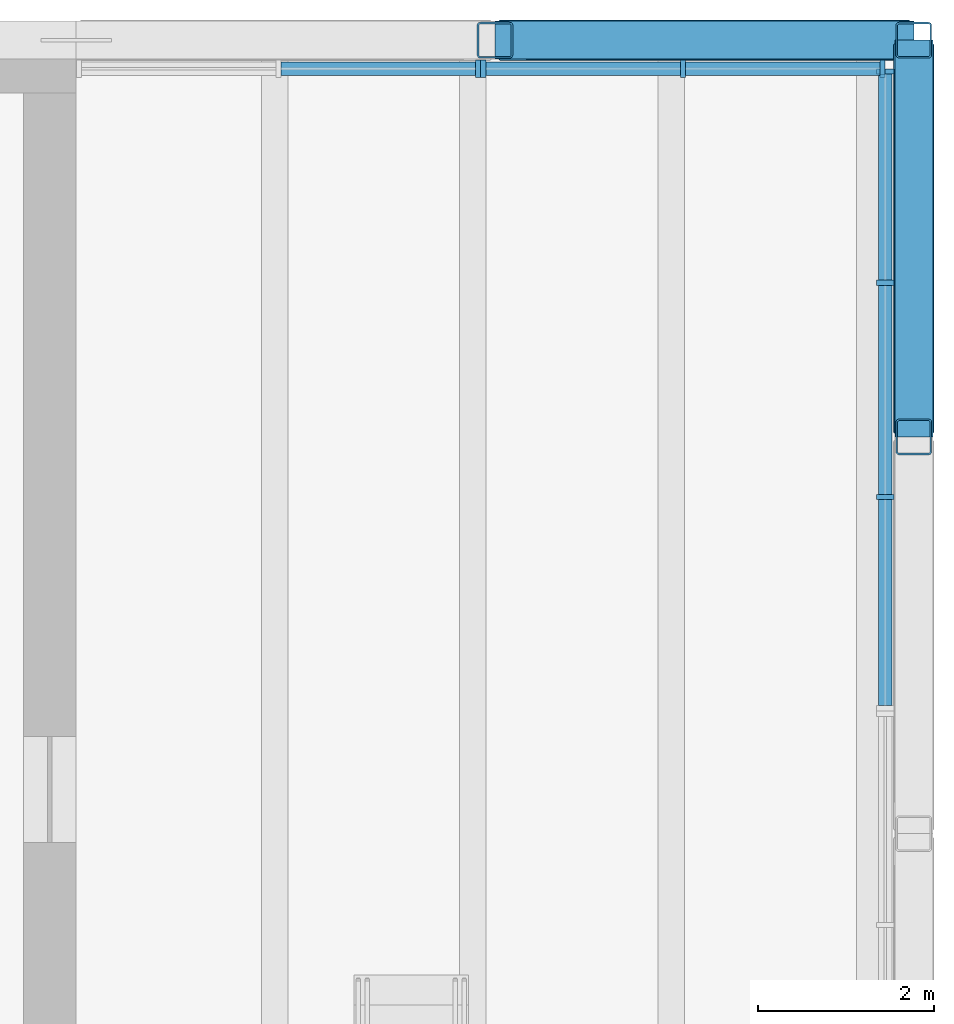
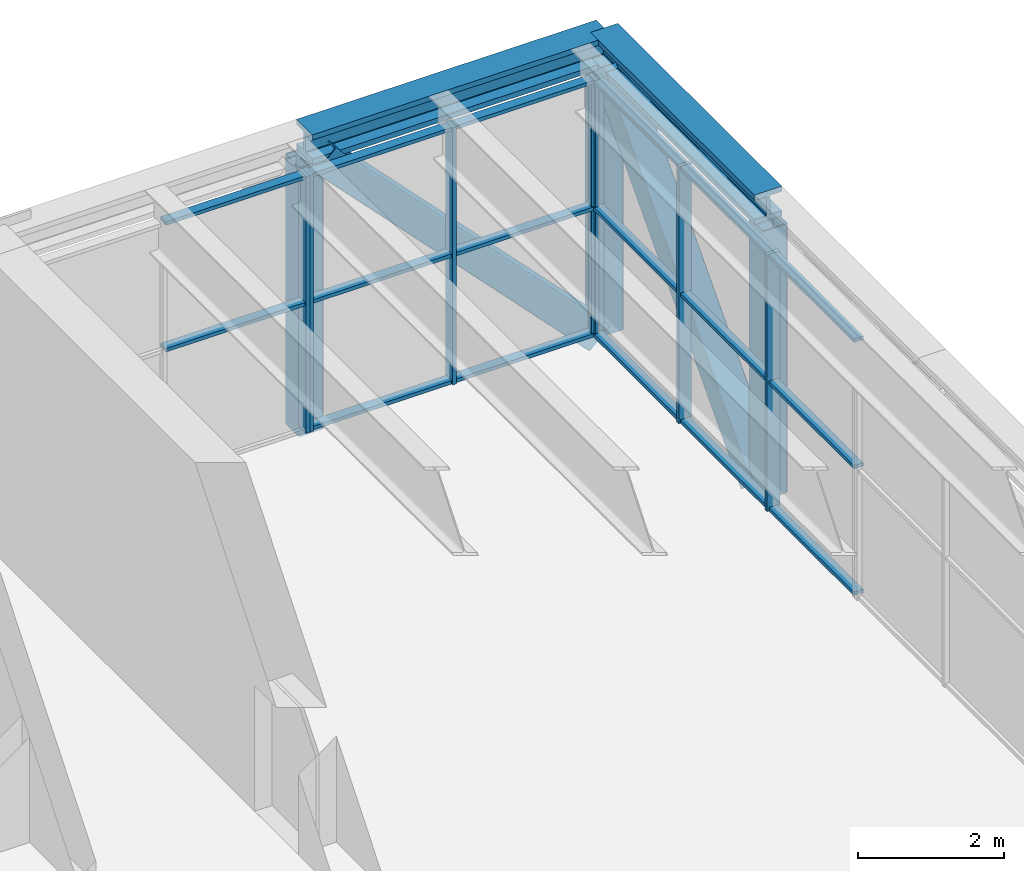
# One storey, part 4 of 13: 31 members, 3 elements without a shape of their own.
"""IFC4 building model written with IfcOpenShell, lengths in metres."""

import ifcopenshell
import ifcopenshell.guid

model = None  # the IFC model being written
_history = None  # IfcOwnerHistory: only IFC2X3 demands one
_inside = {}  # id of a spatial element -> (the spatial element, [elements in it])
_under = {}  # id of a project, library or spatial element -> (it, [spatial elements below it])
_declared = {}  # id of a project -> (the project, [libraries it declares])
_typed = {}  # id of a type object -> (the type object, [elements of that type])
_made_of = {}  # id of a material, layer set ... -> (it, [elements and type objects made of it])


def new_model(schema):
    """Start an empty IFC model of exactly this schema.

    Asked for "IFC4X3", IfcOpenShell would pick the latest addendum, in which some entities
    have other attributes; the version numbers below select the first issue.
    IFC2X3 requires an IfcOwnerHistory on every rooted entity: one is made here for all.
    """
    global model, _history
    if schema == "IFC4X3":
        model = ifcopenshell.file(schema_version=(4, 3, 0, 0))
    else:
        model = ifcopenshell.file(schema=schema)
    _inside.clear()
    _under.clear()
    _declared.clear()
    _typed.clear()
    _made_of.clear()
    _history = None
    if model.schema == "IFC2X3":
        org = make("IfcOrganization", Name="unknown")
        user = make(
            "IfcPersonAndOrganization",
            ThePerson=make("IfcPerson", FamilyName="unknown"),
            TheOrganization=org,
        )
        app = make(
            "IfcApplication",
            ApplicationDeveloper=org,
            Version="unknown",
            ApplicationFullName="unknown",
            ApplicationIdentifier="unknown",
        )
        _history = make(
            "IfcOwnerHistory",
            OwningUser=user,
            OwningApplication=app,
            ChangeAction="ADDED",
            CreationDate=0,
        )
    return model


def make(cls, **values):
    """One entity of the class cls with the attributes given. An attribute that is None is left unset."""
    return model.create_entity(
        cls, **{name: value for name, value in values.items() if value is not None}
    )


def rooted(cls, **values):
    """An entity with a GlobalId (a new one), such as an element, a storey or a relation."""
    return make(cls, GlobalId=ifcopenshell.guid.new(), OwnerHistory=_history, **values)


def si_unit(unit_type, name, prefix=None):
    """IfcSIUnit, for example si_unit("LENGTHUNIT", "METRE", prefix="MILLI")."""
    return make("IfcSIUnit", UnitType=unit_type, Prefix=prefix, Name=name)


def assignment(units):
    """IfcUnitAssignment: the units of a project."""
    return None if units is None else make("IfcUnitAssignment", Units=units)


def point(xyz):
    """IfcCartesianPoint."""
    return None if xyz is None else make("IfcCartesianPoint", Coordinates=xyz)


def direction(xyz):
    """IfcDirection."""
    return None if xyz is None else make("IfcDirection", DirectionRatios=xyz)


def frame(location, z_axis=None, x_axis=None):
    """IfcAxis2Placement3D, a coordinate frame: its origin and axes. An axis left out is left unset."""
    return make(
        "IfcAxis2Placement3D",
        Location=point(location),
        Axis=direction(z_axis),
        RefDirection=direction(x_axis),
    )


def frame_2d(location, x_axis=None):
    """IfcAxis2Placement2D, a coordinate frame in the plane: its origin and x axis."""
    return make(
        "IfcAxis2Placement2D", Location=point(location), RefDirection=direction(x_axis)
    )


def origin():
    """The frame at (0, 0, 0) with its axes left unset."""
    return frame((0.0, 0.0, 0.0))


def origin_2d():
    """The frame at (0, 0) in the plane with its x axis left unset."""
    return frame_2d((0.0, 0.0))


def place(relative_to, where):
    """IfcLocalPlacement: puts the frame where relative to a parent placement (None: the world)."""
    return make(
        "IfcLocalPlacement", PlacementRelTo=relative_to, RelativePlacement=where
    )


def context(
    kind, dimensions, precision=None, world=None, true_north=None, identifier=None
):
    """IfcGeometricRepresentationContext, for example the 3D "Model" context."""
    return make(
        "IfcGeometricRepresentationContext",
        ContextIdentifier=identifier,
        ContextType=kind,
        CoordinateSpaceDimension=dimensions,
        Precision=precision,
        WorldCoordinateSystem=world,
        TrueNorth=true_north,
    )


def subcontext(parent, identifier, kind, view, scale=None):
    """IfcGeometricRepresentationSubContext, for example "Body" below "Model"."""
    return make(
        "IfcGeometricRepresentationSubContext",
        ContextIdentifier=identifier,
        ContextType=kind,
        ParentContext=parent,
        TargetScale=scale,
        TargetView=view,
    )


def project(units=None, contexts=None):
    """IfcProject with its units and contexts."""
    return rooted(
        "IfcProject",
        Name="project",
        RepresentationContexts=contexts,
        UnitsInContext=assignment(units),
    )


def spatial(cls, under=None, at=None, **own):
    """A site, building, storey or space (cls), placed at a placement, below another one or the project."""
    s = rooted(cls, ObjectPlacement=at, **own)
    if under is not None:
        _under.setdefault(under.id(), (under, []))[1].append(s)
    return s


def profile(cls, at=None, kind="AREA", **sizes):
    """A parametric profile (cls). Its sizes go by their IFC names, for example OverallWidth=200.0."""
    return make(cls, ProfileType=kind, Position=at, **sizes)


def rectangle(**sizes):
    """IfcRectangleProfileDef."""
    return profile("IfcRectangleProfileDef", **sizes)


def hollow_rectangle(**sizes):
    """IfcRectangleHollowProfileDef."""
    return profile("IfcRectangleHollowProfileDef", **sizes)


def i_section(**sizes):
    """IfcIShapeProfileDef."""
    return profile("IfcIShapeProfileDef", **sizes)


def extrude(swept, where, along, depth):
    """IfcExtrudedAreaSolid: the profile swept, set in the frame where, extruded along a direction by depth."""
    return make(
        "IfcExtrudedAreaSolid",
        SweptArea=swept,
        Position=where,
        ExtrudedDirection=direction(along),
        Depth=depth,
    )


def shape(context_of_items, identifier, shape_type, items):
    """IfcShapeRepresentation: the items that make up one representation, for example the "Body"."""
    return make(
        "IfcShapeRepresentation",
        ContextOfItems=context_of_items,
        RepresentationIdentifier=identifier,
        RepresentationType=shape_type,
        Items=items,
    )


def material(Name=None, Category=None):
    """IfcMaterial."""
    return make("IfcMaterial", Name=Name, Category=Category)


def material_profile(
    of_material, cross_section, Name=None, Category=None, Priority=None
):
    """IfcMaterialProfile: a cross section and its material."""
    return make(
        "IfcMaterialProfile",
        Name=Name,
        Material=of_material,
        Profile=cross_section,
        Priority=Priority,
        Category=Category,
    )


def profile_set(profiles, Name=None, composite=None):
    """IfcMaterialProfileSet."""
    return make(
        "IfcMaterialProfileSet",
        Name=Name,
        MaterialProfiles=profiles,
        CompositeProfile=composite,
    )


def made_of(thing, what):
    """Note that an element or type object is made of a material, layer set ...; save() writes the relation."""
    if what is not None:
        _made_of.setdefault(what.id(), (what, []))[1].append(thing)
    return thing


def type_object(cls, material=None, **own):
    """A type object (cls), such as IfcWallType, which elements share."""
    return made_of(rooted(cls, **own), material)


def element(
    cls,
    number,
    at=None,
    inside=None,
    cuts=None,
    type_object=None,
    material=None,
    context=None,
    identifier="Body",
    shape_type=None,
    held_by="IfcProductDefinitionShape",
    body=None,
    shapes=None,
    **own,
):
    """One element of the class cls, such as IfcWall. Its Tag is "e" and its number.

    at: its placement. inside: the storey or other place that contains it. cuts: it is an
    opening in that element (IfcRelVoidsElement). A single representation is given by context,
    identifier, shape_type and body (its items); several are given by shapes. held_by: the class
    of the entity that holds the representations. save() writes the other relations.
    """
    e = rooted(cls, Tag="e%d" % number, ObjectPlacement=at, **own)
    if body is not None:
        shapes = [shape(context, identifier, shape_type, body)]
    if shapes is not None:
        e.Representation = make(held_by, Representations=shapes)
    if inside is not None:
        _inside.setdefault(inside.id(), (inside, []))[1].append(e)
    if cuts is not None:
        rooted(
            "IfcRelVoidsElement", RelatingBuildingElement=cuts, RelatedOpeningElement=e
        )
    if type_object is not None:
        _typed.setdefault(type_object.id(), (type_object, []))[1].append(e)
    return made_of(e, material)


def aggregate(whole, parts):
    """IfcRelAggregates: a whole, such as a stair, and the parts it consists of."""
    return rooted("IfcRelAggregates", RelatingObject=whole, RelatedObjects=parts)


def save(model, path):
    """Write the relations noted so far, then the file.

    IfcRelAggregates (storeys below a building ...), IfcRelContainedInSpatialStructure (elements
    in a storey), IfcRelDefinesByType, IfcRelAssociatesMaterial and IfcRelDeclares: one each for
    every whole, place, type object, material and project.
    """
    for whole, parts in _under.values():
        aggregate(whole, parts)
    for where, things in _inside.values():
        rooted(
            "IfcRelContainedInSpatialStructure",
            RelatedElements=things,
            RelatingStructure=where,
        )
    for kind, things in _typed.values():
        rooted("IfcRelDefinesByType", RelatedObjects=things, RelatingType=kind)
    for what, things in _made_of.values():
        rooted("IfcRelAssociatesMaterial", RelatedObjects=things, RelatingMaterial=what)
    for by, libraries in _declared.values():
        rooted("IfcRelDeclares", RelatingContext=by, RelatedDefinitions=libraries)
    model.write(path)


model = new_model("IFC4")

# Units and contexts
model_context = context("Model", 3, precision=1e-05, world=origin(), true_north=direction((0.0, 1.0)))
body_context = subcontext(model_context, "Body", "Model", "MODEL_VIEW")
ifc_project = project(units=[si_unit("LENGTHUNIT", "METRE"), si_unit("AREAUNIT", "SQUARE_METRE"), si_unit("VOLUMEUNIT", "CUBIC_METRE"), si_unit("PLANEANGLEUNIT", "RADIAN"), si_unit("MASSUNIT", "GRAM", prefix="KILO")], contexts=[model_context])

# Site, building, storey
site_placement = place(None, origin())
site = spatial("IfcSite", under=ifc_project, at=site_placement, CompositionType="ELEMENT")
building_placement = place(site_placement, origin())
building = spatial("IfcBuilding", under=site, at=building_placement, Name="Sennacour Bend Tower", CompositionType="ELEMENT")
storey_placement = place(building_placement, frame((0.0, 0.0, 345.5)))
storey = spatial("IfcBuildingStorey", under=building, at=storey_placement, Name="L79", CompositionType="ELEMENT", Elevation=345.5)

# Curtain wall, members
ifc_material_1 = material(Name="Bronze anodised aluminium curtain wall with clear glass", Category="aluminium")
curtain_wall_type = type_object("IfcCurtainWallType", Name="CURTAIN WALL LOUNGE", PredefinedType="NOTDEFINED", material=ifc_material_1)
curtain_wall_1_placement = place(storey_placement, origin())
curtain_wall_1 = element("IfcCurtainWall", 1, at=curtain_wall_1_placement, inside=storey, type_object=curtain_wall_type, Name="Sky lounge glass wall L79", PredefinedType="NOTDEFINED")
ifc_material_2 = material(Name="Aluminium 6063-T6", Category="aluminium")
ifc_material_profile_1 = material_profile(ifc_material_2, rectangle(XDim=0.199951171875, YDim=0.06005859375, at=origin_2d()), Name="Aluminium 6063-T6", Category="aluminium")
ifc_profile_set_1 = profile_set([ifc_material_profile_1], Name="Aluminium 6063-T6")
member_type_1 = type_object("IfcMemberType", Name="CW-MULLION-200X60", PredefinedType="MULLION", material=ifc_profile_set_1)
member_1_placement = place(storey_placement, frame((76.675048828125, 17.319580078125, 0.0), z_axis=(0.0, 0.0, 1.0), x_axis=(-1.0, 0.0, 0.0)))
member_1 = element("IfcMember", 2, at=member_1_placement, type_object=member_type_1, Name="GW4 curtain wall mullion 2", PredefinedType="MULLION", context=body_context, shape_type="SweptSolid", body=[
    extrude(rectangle(XDim=0.199951171875, YDim=0.06005859375, at=origin_2d()), origin(), (0.0, 0.0, 1.0), 4.302001953125),
])
member_2_placement = place(storey_placement, frame((76.675048828125, 19.747314453125, 0.0), z_axis=(0.0, 0.0, 1.0), x_axis=(-1.0, 0.0, 0.0)))
member_2 = element("IfcMember", 3, at=member_2_placement, type_object=member_type_1, Name="GW4 curtain wall mullion 3", PredefinedType="MULLION", context=body_context, shape_type="SweptSolid", body=[
    extrude(rectangle(XDim=0.199951171875, YDim=0.06005859375, at=origin_2d()), origin(), (0.0, 0.0, 1.0), 4.302001953125),
])
member_3_placement = place(storey_placement, frame((76.675048828125, 22.14501953125, 0.0), z_axis=(0.0, 0.0, 1.0), x_axis=(-1.0, 0.0, 0.0)))
member_3 = element("IfcMember", 4, at=member_3_placement, type_object=member_type_1, Name="GW4 curtain wall mullion 4", PredefinedType="MULLION", context=body_context, shape_type="SweptSolid", body=[
    extrude(rectangle(XDim=0.199951171875, YDim=0.06005859375, at=origin_2d()), origin(), (0.0, 0.0, 1.0), 4.302001953125),
])

curtain_wall_2_placement = place(storey_placement, origin())
curtain_wall_2 = element("IfcCurtainWall", 5, at=curtain_wall_2_placement, inside=storey, type_object=curtain_wall_type, Name="Sky lounge glass wall L79", PredefinedType="NOTDEFINED")
member_4_placement = place(storey_placement, frame((76.64501953125, 22.175048828125, 0.0), z_axis=(0.0, 0.0, 1.0), x_axis=(0.0, -1.0, 0.0)))
member_4 = element("IfcMember", 6, at=member_4_placement, type_object=member_type_1, Name="GW4 curtain wall mullion 1", PredefinedType="MULLION", context=body_context, shape_type="SweptSolid", body=[
    extrude(rectangle(XDim=0.199951171875, YDim=0.06005859375, at=origin_2d()), origin(), (0.0, 0.0, 1.0), 4.302001953125),
])
member_5_placement = place(storey_placement, frame((74.381591796875, 22.175048828125, 0.0), z_axis=(0.0, 0.0, 1.0), x_axis=(0.0, -1.0, 0.0)))
member_5 = element("IfcMember", 7, at=member_5_placement, type_object=member_type_1, Name="GW4 curtain wall mullion 2", PredefinedType="MULLION", context=body_context, shape_type="SweptSolid", body=[
    extrude(rectangle(XDim=0.199951171875, YDim=0.06005859375, at=origin_2d()), origin(), (0.0, 0.0, 1.0), 4.302001953125),
])
member_6_placement = place(storey_placement, frame((72.117919921875, 22.175048828125, 0.0), z_axis=(0.0, 0.0, 1.0), x_axis=(0.0, -1.0, 0.0)))
member_6 = element("IfcMember", 8, at=member_6_placement, type_object=member_type_1, Name="GW4 curtain wall mullion 3", PredefinedType="MULLION", context=body_context, shape_type="SweptSolid", body=[
    extrude(rectangle(XDim=0.199951171875, YDim=0.06005859375, at=origin_2d()), origin(), (0.0, 0.0, 1.0), 4.302001953125),
])

# Curtain wall, member
curtain_wall_3_placement = place(storey_placement, origin())
curtain_wall_3 = element("IfcCurtainWall", 9, at=curtain_wall_3_placement, inside=storey, type_object=curtain_wall_type, Name="Sky lounge glass wall L79", PredefinedType="NOTDEFINED")
member_7_placement = place(storey_placement, frame((72.05810546875, 22.175048828125, 0.0), z_axis=(0.0, 0.0, 1.0), x_axis=(0.0, -1.0, 0.0)))
member_7 = element("IfcMember", 10, at=member_7_placement, type_object=member_type_1, Name="GW4 curtain wall mullion 1", PredefinedType="MULLION", context=body_context, shape_type="SweptSolid", body=[
    extrude(rectangle(XDim=0.199951171875, YDim=0.06005859375, at=origin_2d()), origin(), (0.0, 0.0, 1.0), 4.302001953125),
])

# Member
ifc_material_profile_2 = material_profile(ifc_material_2, rectangle(XDim=0.14990234375, YDim=0.06005859375, at=origin_2d()), Name="Aluminium 6063-T6", Category="aluminium")
ifc_profile_set_2 = profile_set([ifc_material_profile_2], Name="Aluminium 6063-T6")
member_type_2 = type_object("IfcMemberType", Name="CW-TRANSOM-150X60", PredefinedType="USERDEFINED", material=ifc_profile_set_2)
member_8_placement = place(storey_placement, frame((76.675048828125, 14.95166015625, 0.030029296875), z_axis=(0.0, 1.0, 0.0), x_axis=(-1.0, 0.0, 0.0)))
member_8 = element("IfcMember", 11, at=member_8_placement, type_object=member_type_2, Name="GW4 curtain wall transom 1.1", ObjectType="TRANSOM", PredefinedType="USERDEFINED", context=body_context, shape_type="SweptSolid", body=[
    extrude(rectangle(XDim=0.14990234375, YDim=0.06005859375, at=origin_2d()), origin(), (0.0, 0.0, 1.0), 2.337890625),
])

member_9_placement = place(storey_placement, frame((76.675048828125, 14.95166015625, 2.15087890625), z_axis=(0.0, 1.0, 0.0), x_axis=(-1.0, 0.0, 0.0)))
member_9 = element("IfcMember", 12, at=member_9_placement, type_object=member_type_2, Name="GW4 curtain wall transom 1.2", ObjectType="TRANSOM", PredefinedType="USERDEFINED", context=body_context, shape_type="SweptSolid", body=[
    extrude(rectangle(XDim=0.14990234375, YDim=0.06005859375, at=origin_2d()), origin(), (0.0, 0.0, 1.0), 2.337890625),
])

member_10_placement = place(storey_placement, frame((76.675048828125, 14.95166015625, 4.27197265625), z_axis=(0.0, 1.0, 0.0), x_axis=(-1.0, 0.0, 0.0)))
member_10 = element("IfcMember", 13, at=member_10_placement, type_object=member_type_2, Name="GW4 curtain wall transom 1.3", ObjectType="TRANSOM", PredefinedType="USERDEFINED", context=body_context, shape_type="SweptSolid", body=[
    extrude(rectangle(XDim=0.14990234375, YDim=0.06005859375, at=origin_2d()), origin(), (0.0, 0.0, 1.0), 2.337890625),
])

member_11_placement = place(storey_placement, frame((76.675048828125, 17.349365234375, 0.030029296875), z_axis=(0.0, 1.0, 0.0), x_axis=(-1.0, 0.0, 0.0)))
member_11 = element("IfcMember", 14, at=member_11_placement, type_object=member_type_2, Name="GW4 curtain wall transom 2.1", ObjectType="TRANSOM", PredefinedType="USERDEFINED", context=body_context, shape_type="SweptSolid", body=[
    extrude(rectangle(XDim=0.14990234375, YDim=0.06005859375, at=origin_2d()), origin(), (0.0, 0.0, 1.0), 2.367919921875),
])

member_12_placement = place(storey_placement, frame((76.675048828125, 17.349365234375, 2.15087890625), z_axis=(0.0, 1.0, 0.0), x_axis=(-1.0, 0.0, 0.0)))
member_12 = element("IfcMember", 15, at=member_12_placement, type_object=member_type_2, Name="GW4 curtain wall transom 2.2", ObjectType="TRANSOM", PredefinedType="USERDEFINED", context=body_context, shape_type="SweptSolid", body=[
    extrude(rectangle(XDim=0.14990234375, YDim=0.06005859375, at=origin_2d()), origin(), (0.0, 0.0, 1.0), 2.367919921875),
])

member_13_placement = place(storey_placement, frame((76.675048828125, 17.349365234375, 4.27197265625), z_axis=(0.0, 1.0, 0.0), x_axis=(-1.0, 0.0, 0.0)))
member_13 = element("IfcMember", 16, at=member_13_placement, type_object=member_type_2, Name="GW4 curtain wall transom 2.3", ObjectType="TRANSOM", PredefinedType="USERDEFINED", context=body_context, shape_type="SweptSolid", body=[
    extrude(rectangle(XDim=0.14990234375, YDim=0.06005859375, at=origin_2d()), origin(), (0.0, 0.0, 1.0), 2.367919921875),
])

member_14_placement = place(storey_placement, frame((76.675048828125, 19.77734375, 0.030029296875), z_axis=(0.0, 1.0, 0.0), x_axis=(-1.0, 0.0, 0.0)))
member_14 = element("IfcMember", 17, at=member_14_placement, type_object=member_type_2, Name="GW4 curtain wall transom 3.1", ObjectType="TRANSOM", PredefinedType="USERDEFINED", context=body_context, shape_type="SweptSolid", body=[
    extrude(rectangle(XDim=0.14990234375, YDim=0.06005859375, at=origin_2d()), origin(), (0.0, 0.0, 1.0), 2.337646484375),
])

member_15_placement = place(storey_placement, frame((76.675048828125, 19.77734375, 2.15087890625), z_axis=(0.0, 1.0, 0.0), x_axis=(-1.0, 0.0, 0.0)))
member_15 = element("IfcMember", 18, at=member_15_placement, type_object=member_type_2, Name="GW4 curtain wall transom 3.2", ObjectType="TRANSOM", PredefinedType="USERDEFINED", context=body_context, shape_type="SweptSolid", body=[
    extrude(rectangle(XDim=0.14990234375, YDim=0.06005859375, at=origin_2d()), origin(), (0.0, 0.0, 1.0), 2.337646484375),
])

member_16_placement = place(storey_placement, frame((76.675048828125, 19.77734375, 4.27197265625), z_axis=(0.0, 1.0, 0.0), x_axis=(-1.0, 0.0, 0.0)))
member_16 = element("IfcMember", 19, at=member_16_placement, type_object=member_type_2, Name="GW4 curtain wall transom 3.3", ObjectType="TRANSOM", PredefinedType="USERDEFINED", context=body_context, shape_type="SweptSolid", body=[
    extrude(rectangle(XDim=0.14990234375, YDim=0.06005859375, at=origin_2d()), origin(), (0.0, 0.0, 1.0), 2.337646484375),
])

aggregate(curtain_wall_1, [member_1, member_2, member_3, member_8, member_9, member_10, member_11, member_12, member_13, member_14, member_15, member_16])

member_17_placement = place(storey_placement, frame((76.614990234375, 22.175048828125, 0.030029296875), z_axis=(-1.0, 0.0, 0.0), x_axis=(0.0, -1.0, 0.0)))
member_17 = element("IfcMember", 20, at=member_17_placement, type_object=member_type_2, Name="GW4 curtain wall transom 1.1", ObjectType="TRANSOM", PredefinedType="USERDEFINED", context=body_context, shape_type="SweptSolid", body=[
    extrude(rectangle(XDim=0.14990234375, YDim=0.06005859375, at=origin_2d()), origin(), (0.0, 0.0, 1.0), 2.203369140625),
])

member_18_placement = place(storey_placement, frame((76.614990234375, 22.175048828125, 2.15087890625), z_axis=(-1.0, 0.0, 0.0), x_axis=(0.0, -1.0, 0.0)))
member_18 = element("IfcMember", 21, at=member_18_placement, type_object=member_type_2, Name="GW4 curtain wall transom 1.2", ObjectType="TRANSOM", PredefinedType="USERDEFINED", context=body_context, shape_type="SweptSolid", body=[
    extrude(rectangle(XDim=0.14990234375, YDim=0.06005859375, at=origin_2d()), origin(), (0.0, 0.0, 1.0), 2.203369140625),
])

member_19_placement = place(storey_placement, frame((76.614990234375, 22.175048828125, 4.27197265625), z_axis=(-1.0, 0.0, 0.0), x_axis=(0.0, -1.0, 0.0)))
member_19 = element("IfcMember", 22, at=member_19_placement, type_object=member_type_2, Name="GW4 curtain wall transom 1.3", ObjectType="TRANSOM", PredefinedType="USERDEFINED", context=body_context, shape_type="SweptSolid", body=[
    extrude(rectangle(XDim=0.14990234375, YDim=0.06005859375, at=origin_2d()), origin(), (0.0, 0.0, 1.0), 2.203369140625),
])

member_20_placement = place(storey_placement, frame((74.3515625, 22.175048828125, 0.030029296875), z_axis=(-1.0, 0.0, 0.0), x_axis=(0.0, -1.0, 0.0)))
member_20 = element("IfcMember", 23, at=member_20_placement, type_object=member_type_2, Name="GW4 curtain wall transom 2.1", ObjectType="TRANSOM", PredefinedType="USERDEFINED", context=body_context, shape_type="SweptSolid", body=[
    extrude(rectangle(XDim=0.14990234375, YDim=0.06005859375, at=origin_2d()), origin(), (0.0, 0.0, 1.0), 2.20361328125),
])

member_21_placement = place(storey_placement, frame((74.3515625, 22.175048828125, 2.15087890625), z_axis=(-1.0, 0.0, 0.0), x_axis=(0.0, -1.0, 0.0)))
member_21 = element("IfcMember", 24, at=member_21_placement, type_object=member_type_2, Name="GW4 curtain wall transom 2.2", ObjectType="TRANSOM", PredefinedType="USERDEFINED", context=body_context, shape_type="SweptSolid", body=[
    extrude(rectangle(XDim=0.14990234375, YDim=0.06005859375, at=origin_2d()), origin(), (0.0, 0.0, 1.0), 2.20361328125),
])

member_22_placement = place(storey_placement, frame((74.3515625, 22.175048828125, 4.27197265625), z_axis=(-1.0, 0.0, 0.0), x_axis=(0.0, -1.0, 0.0)))
member_22 = element("IfcMember", 25, at=member_22_placement, type_object=member_type_2, Name="GW4 curtain wall transom 2.3", ObjectType="TRANSOM", PredefinedType="USERDEFINED", context=body_context, shape_type="SweptSolid", body=[
    extrude(rectangle(XDim=0.14990234375, YDim=0.06005859375, at=origin_2d()), origin(), (0.0, 0.0, 1.0), 2.20361328125),
])

aggregate(curtain_wall_2, [member_4, member_5, member_6, member_17, member_18, member_19, member_20, member_21, member_22])

member_23_placement = place(storey_placement, frame((72.028076171875, 22.175048828125, 2.15087890625), z_axis=(-1.0, 0.0, 0.0), x_axis=(0.0, -1.0, 0.0)))
member_23 = element("IfcMember", 26, at=member_23_placement, type_object=member_type_2, Name="GW4 curtain wall transom 1.2", ObjectType="TRANSOM", PredefinedType="USERDEFINED", context=body_context, shape_type="SweptSolid", body=[
    extrude(rectangle(XDim=0.14990234375, YDim=0.06005859375, at=origin_2d()), origin(), (0.0, 0.0, 1.0), 2.20361328125),
])

member_24_placement = place(storey_placement, frame((72.028076171875, 22.175048828125, 4.27197265625), z_axis=(-1.0, 0.0, 0.0), x_axis=(0.0, -1.0, 0.0)))
member_24 = element("IfcMember", 27, at=member_24_placement, type_object=member_type_2, Name="GW4 curtain wall transom 1.3", ObjectType="TRANSOM", PredefinedType="USERDEFINED", context=body_context, shape_type="SweptSolid", body=[
    extrude(rectangle(XDim=0.14990234375, YDim=0.06005859375, at=origin_2d()), origin(), (0.0, 0.0, 1.0), 2.20361328125),
])

aggregate(curtain_wall_3, [member_7, member_23, member_24])

# Members
ifc_material_3 = material(Name="Steel ASTM A992 Grade 50", Category="steel")
ifc_material_profile_3 = material_profile(ifc_material_3, i_section(OverallWidth=0.431884765625, OverallDepth=0.498046875, WebThickness=0.0556640625, FlangeThickness=0.0888671875, FilletRadius=0.01513671875, at=origin_2d()), Name="Steel ASTM A992 Grade 50", Category="steel")
ifc_profile_set_3 = profile_set([ifc_material_profile_3], Name="Steel ASTM A992 Grade 50")
member_type_3 = type_object("IfcMemberType", Name="Lounge truss chord W360X744", PredefinedType="CHORD", material=ifc_profile_set_3)
member_25_placement = place(storey_placement, frame((72.25, 22.5, 4.551025390625), z_axis=(1.0, 0.0, 0.0), x_axis=(0.0, 1.0, 0.0)))
element("IfcMember", 28, at=member_25_placement, inside=storey, type_object=member_type_3, Name="Lounge truss chord LTC L80-016", PredefinedType="CHORD", context=body_context, shape_type="SweptSolid", body=[
    extrude(i_section(OverallWidth=0.431884765625, OverallDepth=0.498046875, WebThickness=0.0556640625, FlangeThickness=0.0888671875, FilletRadius=0.01513671875, at=origin_2d()), origin(), (0.0, 0.0, 1.0), 4.75),
])
member_26_placement = place(storey_placement, frame((77.0, 18.0, 4.551025390625), z_axis=(0.0, 1.0, 0.0), x_axis=(-1.0, 0.0, 0.0)))
element("IfcMember", 29, at=member_26_placement, inside=storey, type_object=member_type_3, Name="Lounge truss chord LTC L80-026", PredefinedType="CHORD", context=body_context, shape_type="SweptSolid", body=[
    extrude(i_section(OverallWidth=0.431884765625, OverallDepth=0.498046875, WebThickness=0.0556640625, FlangeThickness=0.0888671875, FilletRadius=0.01513671875, at=origin_2d()), origin(), (0.0, 0.0, 1.0), 4.5),
])
ifc_material_4 = material(Name="Steel ASTM A500 Grade C", Category="steel")
ifc_material_profile_4 = material_profile(ifc_material_4, hollow_rectangle(XDim=0.457275390625, YDim=0.457275390625, WallThickness=0.015869140625, InnerFilletRadius=0.015869140625, OuterFilletRadius=0.03173828125, at=origin_2d()), Name="Steel ASTM A500 Grade C", Category="steel")
ifc_profile_set_4 = profile_set([ifc_material_profile_4], Name="Steel ASTM A500 Grade C")
member_type_4 = type_object("IfcMemberType", Name="Lounge truss diagonal 457", PredefinedType="BRACE", material=ifc_profile_set_4)
member_27_placement = place(storey_placement, frame((72.453125, 22.5, 4.302001953125), z_axis=(0.69434931849, 0.0, -0.719638120108), x_axis=(0.0, 1.0, 0.0)))
element("IfcMember", 30, at=member_27_placement, inside=storey, type_object=member_type_4, Name="Lounge truss diagonal LD L79-010", PredefinedType="BRACE", context=body_context, shape_type="SweptSolid", body=[
    extrude(hollow_rectangle(XDim=0.457275390625, YDim=0.457275390625, WallThickness=0.015869140625, InnerFilletRadius=0.015869140625, OuterFilletRadius=0.03173828125, at=origin_2d()), origin(), (0.0, 0.0, 1.0), 6.255859375),
])
member_28_placement = place(storey_placement, frame((77.0, 18.203125, -0.199951171875), z_axis=(0.0, 0.672768645858, 0.739852923999), x_axis=(-1.0, 0.0, 0.0)))
element("IfcMember", 31, at=member_28_placement, inside=storey, type_object=member_type_4, Name="Lounge truss diagonal LD L79-018", PredefinedType="BRACE", context=body_context, shape_type="SweptSolid", body=[
    extrude(hollow_rectangle(XDim=0.457275390625, YDim=0.457275390625, WallThickness=0.015869140625, InnerFilletRadius=0.015869140625, OuterFilletRadius=0.03173828125, at=origin_2d()), origin(), (0.0, 0.0, 1.0), 6.0849609375),
])
ifc_material_profile_5 = material_profile(ifc_material_4, hollow_rectangle(XDim=0.406494140625, YDim=0.406494140625, WallThickness=0.01904296875, InnerFilletRadius=0.01904296875, OuterFilletRadius=0.0380859375, at=origin_2d()), Name="Steel ASTM A500 Grade C", Category="steel")
ifc_profile_set_5 = profile_set([ifc_material_profile_5], Name="Steel ASTM A500 Grade C")
member_type_5 = type_object("IfcMemberType", Name="Lounge truss post 406", PredefinedType="POST", material=ifc_profile_set_5)
for number, where, z_axis, x_axis, name in (
    (32, (72.25, 22.5, -0.199951171875), (0.0, 0.0, 1.0), (1.0, 0.0, 0.0), "Lounge truss post LP L79-009"),
    (33, (77.0, 22.5, -0.199951171875), (0.0, 0.0, 1.0), (1.0, 0.0, 0.0), "Lounge truss post LP L79-010"),
    (34, (77.0, 18.0, -0.199951171875), (0.0, 0.0, 1.0), (1.0, 0.0, 0.0), "Lounge truss post LP L79-018"),
):
    element("IfcMember", number, at=place(storey_placement, frame(where, z_axis=z_axis, x_axis=x_axis)), inside=storey, type_object=member_type_5, Name=name, PredefinedType="POST", context=body_context, shape_type="SweptSolid", body=[
        extrude(hollow_rectangle(XDim=0.406494140625, YDim=0.406494140625, WallThickness=0.01904296875, InnerFilletRadius=0.01904296875, OuterFilletRadius=0.0380859375, at=origin_2d()), origin(), (0.0, 0.0, 1.0), 4.501953125),
    ])

save(model, "model.ifc")
